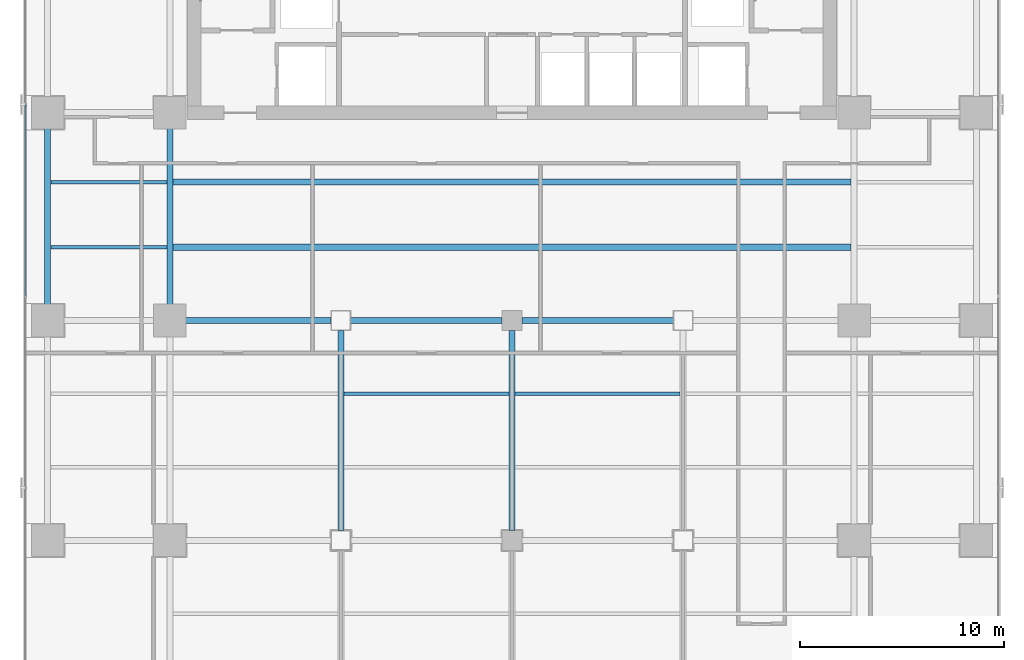
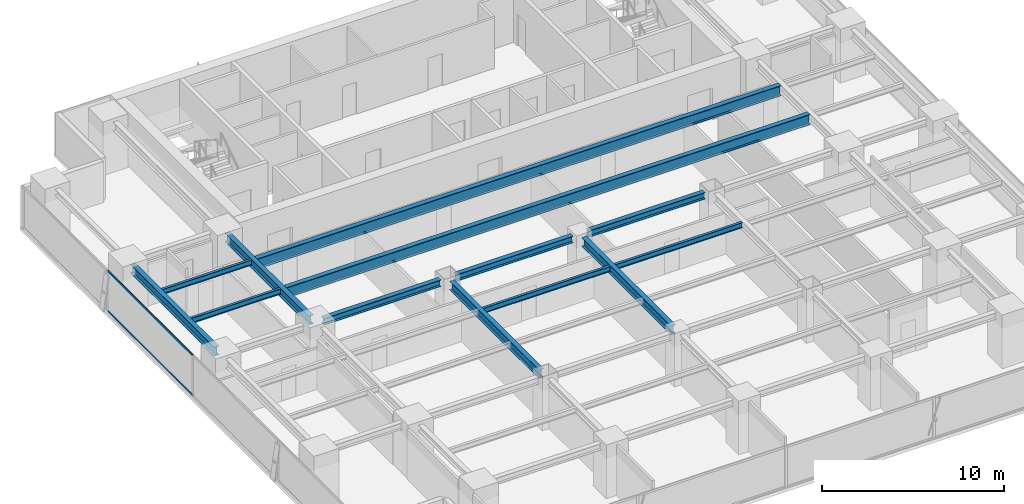
# One storey, part 8 of 28: 13 beams, 2 members, 1 element without a shape of its own.
"""IFC4 building model written with IfcOpenShell, lengths in metres."""

from ifc_helpers import new_model, si_unit, direction, frame, origin, origin_2d, place, context, subcontext, project, spatial, hollow_rectangle, i_section, extrude, source, transform, mapped, material, layer, layer_set, material_profile, profile_set, type_object, element, aggregate, save


model = new_model("IFC4")

# Units and contexts
model_context = context("Model", 3, precision=1e-05, world=origin(), true_north=direction((0.0, 1.0)))
body_context = subcontext(model_context, "Body", "Model", "MODEL_VIEW")
ifc_project = project(units=[si_unit("LENGTHUNIT", "METRE"), si_unit("AREAUNIT", "SQUARE_METRE"), si_unit("VOLUMEUNIT", "CUBIC_METRE"), si_unit("PLANEANGLEUNIT", "RADIAN"), si_unit("MASSUNIT", "GRAM", prefix="KILO")], contexts=[model_context])

# Site, building, storey
site_placement = place(None, origin())
site = spatial("IfcSite", under=ifc_project, at=site_placement, CompositionType="ELEMENT")
building_placement = place(site_placement, origin())
building = spatial("IfcBuilding", under=site, at=building_placement, Name="Sumidabori Civic Tower", CompositionType="ELEMENT")
storey_placement = place(building_placement, frame((0.0, 0.0, 146.0)))
storey = spatial("IfcBuildingStorey", under=building, at=storey_placement, Name="L37", CompositionType="ELEMENT", Elevation=146.0)

# Beams
ifc_material_1 = material(Name="Steel SN490", Category="steel")
ifc_material_profile_1 = material_profile(ifc_material_1, i_section(OverallWidth=0.300048828125, OverallDepth=0.60009765625, WebThickness=0.015380859375, FlangeThickness=0.030029296875, at=origin_2d()), Name="HE 600 B")
ifc_profile_set_1 = profile_set([ifc_material_profile_1], Name="Steel SN490")
beam_type_1 = type_object("IfcBeamType", Name="BM-GIRD-600", PredefinedType="BEAM", material=ifc_profile_set_1)
shared_shape_1 = source(origin(), body_context, "Body", "SweptSolid", [
    extrude(i_section(OverallWidth=0.300048828125, OverallDepth=0.60009765625, WebThickness=0.015380859375, FlangeThickness=0.030029296875, at=origin_2d()), origin(), (0.0, 0.0, 1.0), 9.840087890625),
])
for number, where, z_axis, x_axis, name in (
    (1, (-8.39990234375, -10.320068359375, 3.080078125), (0.0, 1.0, 0.0), (-1.0, 0.0, 0.0), "Primary Girder L37 GY-27"),
    (2, (0.0, -10.320068359375, 3.080078125), (0.0, 1.0, 0.0), (-1.0, 0.0, 0.0), "Primary Girder L37 GY-29"),
):
    element("IfcBeam", number, at=place(storey_placement, frame(where, z_axis=z_axis, x_axis=x_axis)), inside=storey, type_object=beam_type_1, Name=name, PredefinedType="BEAM", context=body_context, shape_type="MappedRepresentation", body=[
        mapped(shared_shape_1, transform((0.0, 0.0, 0.0), x_axis=(1.0, 0.0, 0.0), y_axis=(0.0, 1.0, 0.0), z_axis=(0.0, 0.0, 1.0), scale=1.0)),
    ])
shared_shape_2 = source(origin(), body_context, "Body", "SweptSolid", [
    extrude(i_section(OverallWidth=0.300048828125, OverallDepth=0.60009765625, WebThickness=0.015380859375, FlangeThickness=0.030029296875, at=origin_2d()), origin(), (0.0, 0.0, 1.0), 9.239990234375),
])
for number, where, z_axis, x_axis, name in (
    (3, (-22.800048828125, 0.47998046875, 3.080078125), (0.0, 1.0, 0.0), (-1.0, 0.0, 0.0), "Primary Girder L37 GY-20"),
    (4, (-16.800048828125, 0.47998046875, 3.080078125), (0.0, 1.0, 0.0), (-1.0, 0.0, 0.0), "Primary Girder L37 GY-24"),
):
    element("IfcBeam", number, at=place(storey_placement, frame(where, z_axis=z_axis, x_axis=x_axis)), inside=storey, type_object=beam_type_1, Name=name, PredefinedType="BEAM", context=body_context, shape_type="MappedRepresentation", body=[
        mapped(shared_shape_2, transform((0.0, 0.0, 0.0), x_axis=(1.0, 0.0, 0.0), y_axis=(0.0, 1.0, 0.0), z_axis=(0.0, 0.0, 1.0), scale=1.0)),
    ])
ifc_material_profile_2 = material_profile(ifc_material_1, i_section(OverallWidth=0.300048828125, OverallDepth=0.699951171875, WebThickness=0.01708984375, FlangeThickness=0.031982421875, at=origin_2d()), Name="HE 700 B")
ifc_profile_set_2 = profile_set([ifc_material_profile_2], Name="Steel SN490")
beam_type_2 = type_object("IfcBeamType", Name="BM-GIRD-700", PredefinedType="BEAM", material=ifc_profile_set_2)
shared_shape_3 = source(origin(), body_context, "Body", "SweptSolid", [
    extrude(i_section(OverallWidth=0.300048828125, OverallDepth=0.699951171875, WebThickness=0.01708984375, FlangeThickness=0.031982421875, at=origin_2d()), origin(), (0.0, 0.0, 1.0), 33.2998046875),
])
for number, where, z_axis, x_axis, name in (
    (5, (-16.64990234375, 3.60009765625, 3.030029296875), (1.0, 0.0, 0.0), (0.0, 1.0, 0.0), "North Bay Floor Beam L37 JSTN-47"),
    (6, (-16.64990234375, 6.800048828125, 3.030029296875), (1.0, 0.0, 0.0), (0.0, 1.0, 0.0), "North Bay Floor Beam L37 JSTN-48"),
):
    element("IfcBeam", number, at=place(storey_placement, frame(where, z_axis=z_axis, x_axis=x_axis)), inside=storey, type_object=beam_type_2, Name=name, PredefinedType="BEAM", context=body_context, shape_type="MappedRepresentation", body=[
        mapped(shared_shape_3, transform((0.0, 0.0, 0.0), x_axis=(1.0, 0.0, 0.0), y_axis=(0.0, 1.0, 0.0), z_axis=(0.0, 0.0, 1.0), scale=1.0)),
    ])
ifc_material_profile_3 = material_profile(ifc_material_1, i_section(OverallWidth=0.169921875, OverallDepth=0.360107421875, WebThickness=0.008056640625, FlangeThickness=0.0126953125, at=origin_2d()), Name="IPE 360")
ifc_profile_set_3 = profile_set([ifc_material_profile_3], Name="Steel SN490")
beam_type_3 = type_object("IfcBeamType", Name="BM-JST-360", PredefinedType="JOIST", material=ifc_profile_set_3)
shared_shape_4 = source(origin(), body_context, "Body", "SweptSolid", [
    extrude(i_section(OverallWidth=0.169921875, OverallDepth=0.360107421875, WebThickness=0.008056640625, FlangeThickness=0.0126953125, at=origin_2d()), origin(), (0.0, 0.0, 1.0), 5.699951171875),
])
for number, where, z_axis, x_axis, name in (
    (7, (-22.64990234375, 3.60009765625, 3.199951171875), (1.0, 0.0, 0.0), (0.0, 1.0, 0.0), "Outer Bay Floor Joist L37 JSTO-43"),
    (8, (-22.64990234375, 6.800048828125, 3.199951171875), (1.0, 0.0, 0.0), (0.0, 1.0, 0.0), "Outer Bay Floor Joist L37 JSTO-45"),
):
    element("IfcBeam", number, at=place(storey_placement, frame(where, z_axis=z_axis, x_axis=x_axis)), inside=storey, type_object=beam_type_3, Name=name, PredefinedType="JOIST", context=body_context, shape_type="MappedRepresentation", body=[
        mapped(shared_shape_4, transform((0.0, 0.0, 0.0), x_axis=(1.0, 0.0, 0.0), y_axis=(0.0, 1.0, 0.0), z_axis=(0.0, 0.0, 1.0), scale=1.0)),
    ])
shared_shape_5 = source(origin(), body_context, "Body", "SweptSolid", [
    extrude(i_section(OverallWidth=0.169921875, OverallDepth=0.360107421875, WebThickness=0.008056640625, FlangeThickness=0.0126953125, at=origin_2d()), origin(), (0.0, 0.0, 1.0), 8.10009765625),
])
for number, where, z_axis, x_axis, name in (
    (9, (-8.25, -3.60009765625, 3.199951171875), (1.0, 0.0, 0.0), (0.0, 1.0, 0.0), "South Bay Floor Joist L37 JSTS-58"),
    (10, (0.14990234375, -3.60009765625, 3.199951171875), (1.0, 0.0, 0.0), (0.0, 1.0, 0.0), "South Bay Floor Joist L37 JSTS-59"),
):
    element("IfcBeam", number, at=place(storey_placement, frame(where, z_axis=z_axis, x_axis=x_axis)), inside=storey, type_object=beam_type_3, Name=name, PredefinedType="JOIST", context=body_context, shape_type="MappedRepresentation", body=[
        mapped(shared_shape_5, transform((0.0, 0.0, 0.0), x_axis=(1.0, 0.0, 0.0), y_axis=(0.0, 1.0, 0.0), z_axis=(0.0, 0.0, 1.0), scale=1.0)),
    ])
ifc_material_profile_4 = material_profile(ifc_material_1, i_section(OverallWidth=0.300048828125, OverallDepth=0.449951171875, WebThickness=0.013916015625, FlangeThickness=0.02587890625, at=origin_2d()), Name="HE 450 B")
ifc_profile_set_4 = profile_set([ifc_material_profile_4], Name="Steel SN490")
beam_type_4 = type_object("IfcBeamType", Name="BM-GIRD-450", PredefinedType="BEAM", material=ifc_profile_set_4)
shared_shape_6 = source(origin(), body_context, "Body", "SweptSolid", [
    extrude(i_section(OverallWidth=0.300048828125, OverallDepth=0.449951171875, WebThickness=0.013916015625, FlangeThickness=0.02587890625, at=origin_2d()), origin(), (0.0, 0.0, 1.0), 7.440185546875),
])
beam_placement = place(storey_placement, frame((-16.320068359375, 0.0, 3.155029296875), z_axis=(1.0, 0.0, 0.0), x_axis=(0.0, 1.0, 0.0)))
element("IfcBeam", 11, at=beam_placement, inside=storey, type_object=beam_type_4, Name="Primary Girder L37 GX-12", PredefinedType="BEAM", context=body_context, shape_type="MappedRepresentation", body=[
    mapped(shared_shape_6, transform((0.0, 0.0, 0.0), x_axis=(1.0, 0.0, 0.0), y_axis=(0.0, 1.0, 0.0), z_axis=(0.0, 0.0, 1.0), scale=1.0)),
])
shared_shape_7 = source(origin(), body_context, "Body", "SweptSolid", [
    extrude(i_section(OverallWidth=0.300048828125, OverallDepth=0.449951171875, WebThickness=0.013916015625, FlangeThickness=0.02587890625, at=origin_2d()), origin(), (0.0, 0.0, 1.0), 7.43994140625),
])
for number, where, z_axis, x_axis, name in (
    (12, (-7.919921875, 0.0, 3.155029296875), (1.0, 0.0, 0.0), (0.0, 1.0, 0.0), "Primary Girder L37 GX-13"),
    (13, (0.47998046875, 0.0, 3.155029296875), (1.0, 0.0, 0.0), (0.0, 1.0, 0.0), "Primary Girder L37 GX-14"),
):
    element("IfcBeam", number, at=place(storey_placement, frame(where, z_axis=z_axis, x_axis=x_axis)), inside=storey, type_object=beam_type_4, Name=name, PredefinedType="BEAM", context=body_context, shape_type="MappedRepresentation", body=[
        mapped(shared_shape_7, transform((0.0, 0.0, 0.0), x_axis=(1.0, 0.0, 0.0), y_axis=(0.0, 1.0, 0.0), z_axis=(0.0, 0.0, 1.0), scale=1.0)),
    ])

# Curtain wall, members
ifc_material_2 = material(Name="Anodised Bronze Aluminium AW-6063-T6", Category="aluminium")
ifc_layer = layer(ifc_material_2, 0.179931640625, Name="Anodised Bronze Aluminium AW-6063-T6")
ifc_layer_set = layer_set([ifc_layer], Name="Anodised Bronze Aluminium AW-6063-T6")
curtain_wall_type = type_object("IfcCurtainWallType", Name="CW-SYS-3", PredefinedType="NOTDEFINED", material=ifc_layer_set)
curtain_wall_placement = place(storey_placement, origin())
curtain_wall = element("IfcCurtainWall", 14, at=curtain_wall_placement, inside=storey, type_object=curtain_wall_type, Name="Curtain Wall CW:L37:R10", PredefinedType="NOTDEFINED")
ifc_material_profile_5 = material_profile(ifc_material_2, hollow_rectangle(XDim=0.06005859375, YDim=0.1298828125, WallThickness=0.0048828125, at=origin_2d()), Name="ALU TRANSOM 130x60")
ifc_profile_set_5 = profile_set([ifc_material_profile_5], Name="Anodised Bronze Aluminium AW-6063-T6")
member_type = type_object("IfcMemberType", Name="CW-TRN-130", PredefinedType="USERDEFINED", material=ifc_profile_set_5)
shared_shape_8 = source(origin(), body_context, "Body", "SweptSolid", [
    extrude(hollow_rectangle(XDim=0.06005859375, YDim=0.1298828125, WallThickness=0.0048828125, at=origin_2d()), origin(), (0.0, 0.0, 1.0), 9.344970703125),
])
member_1_placement = place(storey_placement, frame((-23.8798828125, 10.577392578125, 0.030029296875), z_axis=(0.0, -1.0, 0.0), x_axis=(1.0, 0.0, 0.0)))
member_1 = element("IfcMember", 15, at=member_1_placement, type_object=member_type, Name="CW-3 transom 2.1", ObjectType="TRANSOM", PredefinedType="USERDEFINED", context=body_context, shape_type="MappedRepresentation", body=[
    mapped(shared_shape_8, transform((0.0, 0.0, 0.0), x_axis=(1.0, 0.0, 0.0), y_axis=(0.0, 1.0, 0.0), z_axis=(0.0, 0.0, 1.0), scale=1.0)),
])
member_2_placement = place(storey_placement, frame((-23.8798828125, 10.577392578125, 2.72998046875), z_axis=(0.0, -1.0, 0.0), x_axis=(1.0, 0.0, 0.0)))
member_2 = element("IfcMember", 16, at=member_2_placement, type_object=member_type, Name="CW-3 transom 2.2", ObjectType="TRANSOM", PredefinedType="USERDEFINED", context=body_context, shape_type="MappedRepresentation", body=[
    mapped(shared_shape_8, transform((0.0, 0.0, 0.0), x_axis=(1.0, 0.0, 0.0), y_axis=(0.0, 1.0, 0.0), z_axis=(0.0, 0.0, 1.0), scale=1.0)),
])
aggregate(curtain_wall, [member_1, member_2])

save(model, "model.ifc")
